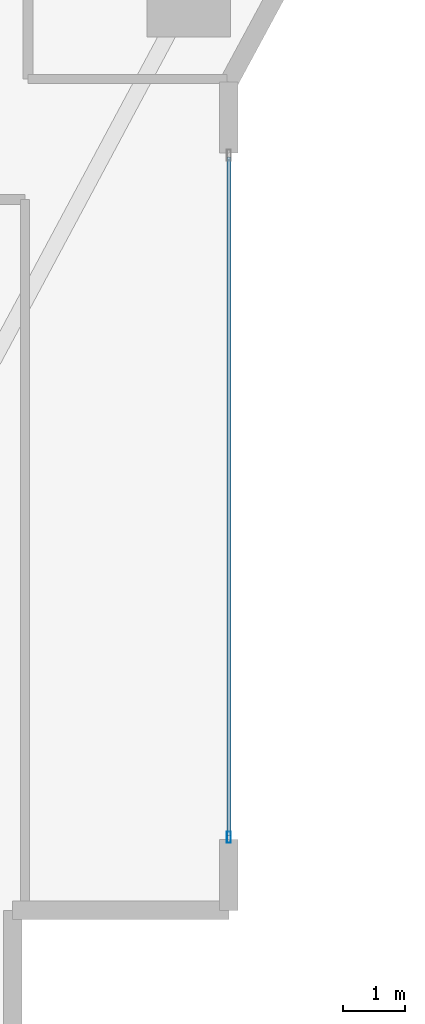
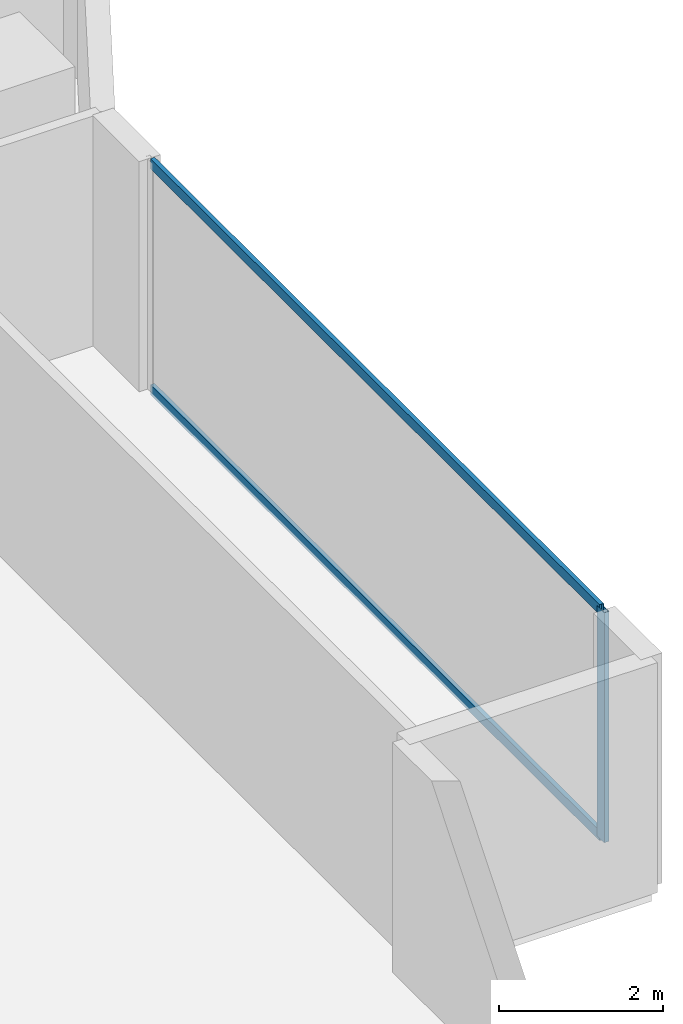
# One storey, part 11 of 28: 3 members, 1 element without a shape of its own.
"""IFC4 building model written with IfcOpenShell, lengths in metres."""

from ifc_helpers import new_model, si_unit, direction, frame, origin, origin_2d, place, context, subcontext, project, spatial, hollow_rectangle, extrude, material, layer, layer_set, material_profile, profile_set, type_object, element, aggregate, save


model = new_model("IFC4")

# Units and contexts
model_context = context("Model", 3, precision=1e-05, world=origin(), true_north=direction((0.0, 1.0)))
body_context = subcontext(model_context, "Body", "Model", "MODEL_VIEW")
ifc_project = project(units=[si_unit("LENGTHUNIT", "METRE"), si_unit("AREAUNIT", "SQUARE_METRE"), si_unit("VOLUMEUNIT", "CUBIC_METRE"), si_unit("PLANEANGLEUNIT", "RADIAN"), si_unit("MASSUNIT", "GRAM", prefix="KILO")], contexts=[model_context])

# Site, building, storey
site_placement = place(None, origin())
site = spatial("IfcSite", under=ifc_project, at=site_placement, CompositionType="ELEMENT")
building_placement = place(site_placement, origin())
building = spatial("IfcBuilding", under=site, at=building_placement, Name="Zuhayl Quay Hotel", CompositionType="ELEMENT")
storey_placement = place(building_placement, frame((0.0, 0.0, 110.25)))
storey = spatial("IfcBuildingStorey", under=building, at=storey_placement, Name="L27", CompositionType="ELEMENT", Elevation=110.25)

# Curtain wall, members
ifc_material_1 = material(Name="Anodised Aluminium 6063-T6", Category="aluminium")
ifc_layer = layer(ifc_material_1, 0.179931640625, Name="Anodised Aluminium 6063-T6", Category="aluminium")
ifc_layer_set = layer_set([ifc_layer], Name="Anodised Aluminium 6063-T6")
curtain_wall_type = type_object("IfcCurtainWallType", Name="CW_SYS_Z2", PredefinedType="USERDEFINED", material=ifc_layer_set)
curtain_wall_placement = place(storey_placement, origin())
curtain_wall = element("IfcCurtainWall", 1, at=curtain_wall_placement, inside=storey, type_object=curtain_wall_type, Name="L27 Curtain Wall ENV_L27_E14_CW1", ObjectType="UNITISED CURTAIN WALL", PredefinedType="USERDEFINED")
ifc_material_2 = material(Name="Black-anodised aluminium 6063-T6", Category="aluminium")
ifc_material_profile_1 = material_profile(ifc_material_2, hollow_rectangle(XDim=0.06494140625, YDim=0.179931640625, WallThickness=0.00341796875, at=origin_2d()), Name="ALU180X65")
ifc_profile_set_1 = profile_set([ifc_material_profile_1], Name="Black-anodised aluminium 6063-T6")
member_type_1 = type_object("IfcMemberType", Name="MB_CW_MUL_180", PredefinedType="MULLION", material=ifc_profile_set_1)
member_1_placement = place(storey_placement, frame((23.89990234375, -10.717529296875, 0.0), z_axis=(0.0, 0.0, 1.0), x_axis=(1.0, 0.0, 0.0)))
member_1 = element("IfcMember", 2, at=member_1_placement, type_object=member_type_1, Name="CW-Z2 mullion 2", PredefinedType="MULLION", context=body_context, shape_type="SweptSolid", body=[
    extrude(hollow_rectangle(XDim=0.06494140625, YDim=0.179931640625, WallThickness=0.00341796875, at=origin_2d()), origin(), (0.0, 0.0, 1.0), 3.429931640625),
])
ifc_material_profile_2 = material_profile(ifc_material_2, hollow_rectangle(XDim=0.06005859375, YDim=0.14990234375, WallThickness=0.00341796875, at=origin_2d()), Name="ALU150X60")
ifc_profile_set_2 = profile_set([ifc_material_profile_2], Name="Black-anodised aluminium 6063-T6")
member_type_2 = type_object("IfcMemberType", Name="MB_CW_TRN_150", PredefinedType="USERDEFINED", material=ifc_profile_set_2)
member_2_placement = place(storey_placement, frame((23.89990234375, 0.284912109375, 0.030029296875), z_axis=(0.0, -1.0, 0.0), x_axis=(1.0, 0.0, 0.0)))
member_2 = element("IfcMember", 3, at=member_2_placement, type_object=member_type_2, Name="CW-Z2 transom 1.1", ObjectType="TRANSOM", PredefinedType="USERDEFINED", context=body_context, shape_type="SweptSolid", body=[
    extrude(hollow_rectangle(XDim=0.06005859375, YDim=0.14990234375, WallThickness=0.00341796875, at=origin_2d()), origin(), (0.0, 0.0, 1.0), 10.969970703125),
])
member_3_placement = place(storey_placement, frame((23.89990234375, 0.284912109375, 3.39990234375), z_axis=(0.0, -1.0, 0.0), x_axis=(1.0, 0.0, 0.0)))
member_3 = element("IfcMember", 4, at=member_3_placement, type_object=member_type_2, Name="CW-Z2 transom 1.2", ObjectType="TRANSOM", PredefinedType="USERDEFINED", context=body_context, shape_type="SweptSolid", body=[
    extrude(hollow_rectangle(XDim=0.06005859375, YDim=0.14990234375, WallThickness=0.00341796875, at=origin_2d()), origin(), (0.0, 0.0, 1.0), 10.969970703125),
])
aggregate(curtain_wall, [member_1, member_2, member_3])

save(model, "model.ifc")
